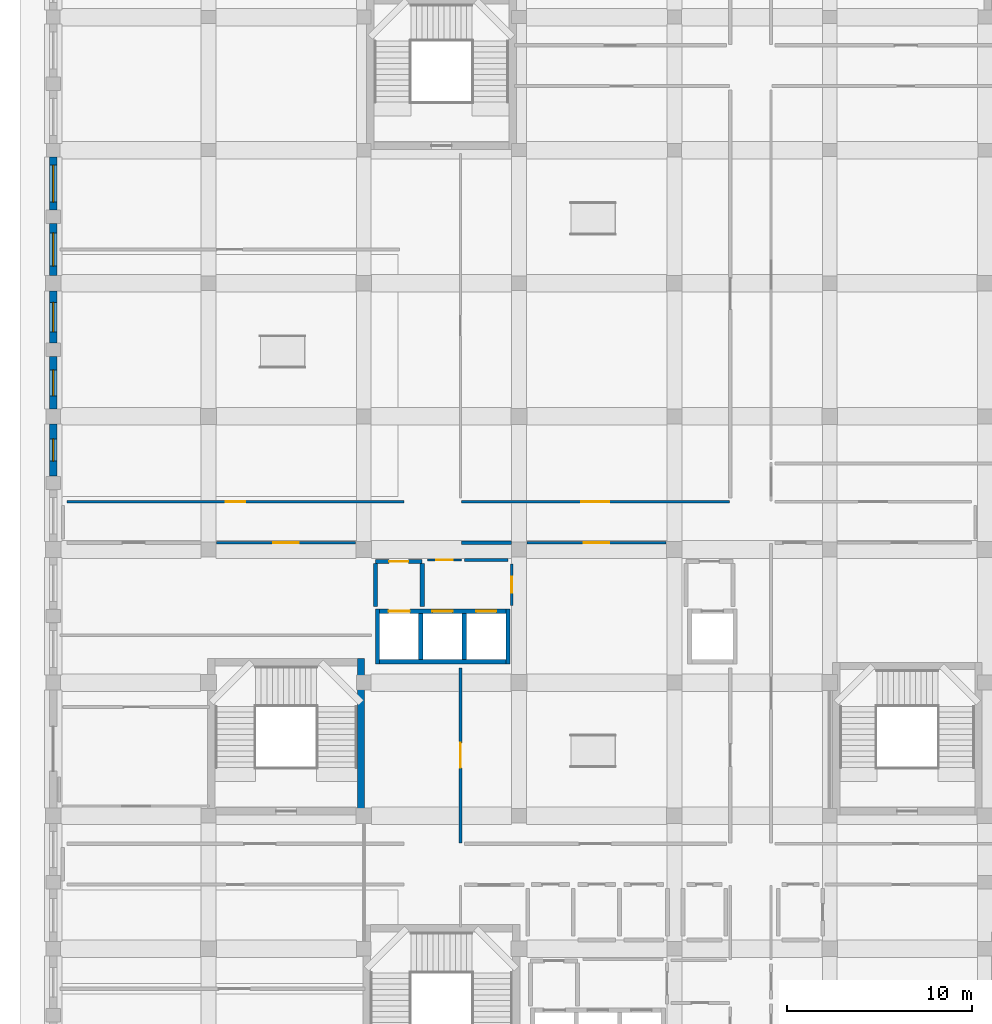
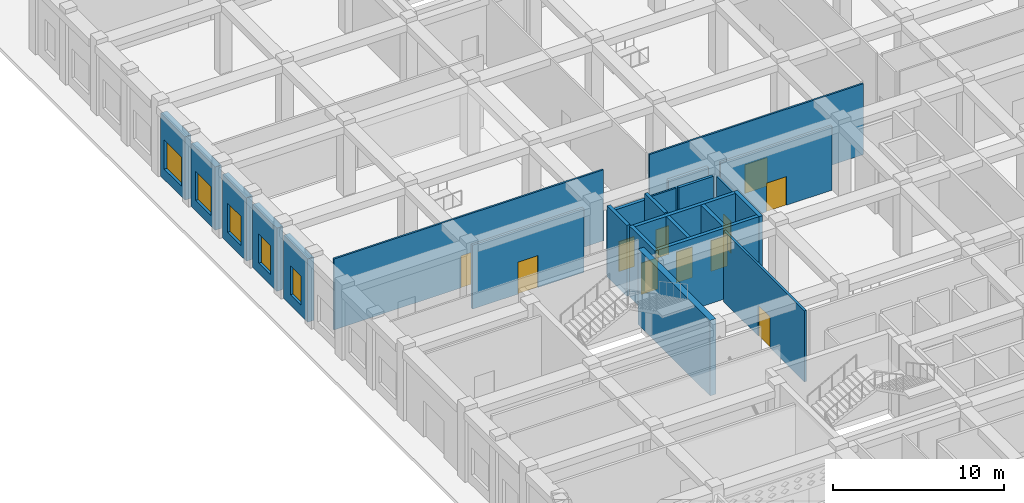
# One storey, part 64 of 84: 24 walls, 11 doors, 5 windows, 16 openings.
"""IFC4 building model written with IfcOpenShell, lengths in metres."""

from ifc_helpers import new_model, si_unit, derived_unit, direction, frame, frame_2d, origin, place, context, subcontext, project, spatial, rectangle, extrude, material, layer, layer_set, type_object, element, fill, save


model = new_model("IFC4")

# Units and contexts
model_context = context("Model", 3, precision=1e-05, world=origin(), true_north=direction((0.0, 1.0)))
body_context = subcontext(model_context, "Body", "Model", "MODEL_VIEW")
ifc_project = project(units=[si_unit("LENGTHUNIT", "METRE"), si_unit("AREAUNIT", "SQUARE_METRE"), si_unit("VOLUMEUNIT", "CUBIC_METRE"), si_unit("PLANEANGLEUNIT", "RADIAN"), si_unit("MASSUNIT", "GRAM", prefix="KILO"), derived_unit("THERMALTRANSMITTANCEUNIT", [(si_unit("POWERUNIT", "WATT"), 1), (si_unit("LENGTHUNIT", "METRE"), -2), (si_unit("THERMODYNAMICTEMPERATUREUNIT", "KELVIN"), -1)])], contexts=[model_context])

# Site, building, storey
site_placement = place(None, origin())
site = spatial("IfcSite", under=ifc_project, at=site_placement, CompositionType="ELEMENT")
building_placement = place(site_placement, origin())
building = spatial("IfcBuilding", under=site, at=building_placement, Name="Veybourne Emporium", CompositionType="ELEMENT")
storey_placement = place(building_placement, origin())
storey = spatial("IfcBuildingStorey", under=building, at=storey_placement, Name="L00", CompositionType="ELEMENT", Elevation=0.0)

# Wall, opening, window
ifc_material_1 = material(Name="Honed Black Granite Plinth", Category="masonry")
ifc_layer_1 = layer(ifc_material_1, 0.419921875)
ifc_layer_set_1 = layer_set([ifc_layer_1], Name="Honed Black Granite Plinth")
wall_type_1 = type_object("IfcWallType", Name="ExtWall_EW-02", PredefinedType="SOLIDWALL", material=ifc_layer_set_1)
wall_1_placement = place(storey_placement, frame((0.0, 47.169921875, 0.0), z_axis=(0.0, 0.0, 1.0), x_axis=(0.0, 1.0, 0.0)))
wall_1 = element("IfcWall", 1, at=wall_1_placement, inside=storey, type_object=wall_type_1, Name="L00 Portland stone external wall 006B", PredefinedType="SOLIDWALL", context=body_context, shape_type="SweptSolid", body=[
    extrude(rectangle(XDim=2.830078125, YDim=0.419921875, at=frame_2d((1.4150390625, 0.0))), origin(), (0.0, 0.0, 1.0), 4.530029296875),
])
opening_1_placement = place(wall_1_placement, frame((0.81494140625, 0.0, 0.75)))
opening_1 = element("IfcOpeningElement", 2, at=opening_1_placement, cuts=wall_1, Name="Opening W-09", PredefinedType="OPENING", context=body_context, shape_type="SweptSolid", body=[
    extrude(rectangle(XDim=1.199951171875, YDim=2.080078125, at=frame_2d((0.60009765625, 1.0400390625))), frame((0.0, 0.22998046875, 0.0), z_axis=(0.0, -1.0, 0.0), x_axis=(1.0, 0.0, 0.0)), (0.0, 0.0, 1.0), 0.4599609375),
])
ifc_material_2 = material(Name="Low-E Triple Glazing", Category="glass")
window_type_1 = type_object("IfcWindowType", Name="Win_W-09", PartitioningType="SINGLE_PANEL", PredefinedType="WINDOW", material=ifc_material_2)
window_1_placement = place(opening_1_placement, origin())
window_1 = element("IfcWindow", 3, at=window_1_placement, inside=storey, type_object=window_type_1, Name="L00 tripartite bronze casement window W-09 (6B)", OverallHeight=2.080078125, OverallWidth=1.199951171875, PartitioningType="SINGLE_PANEL", PredefinedType="WINDOW", context=body_context, shape_type="SweptSolid", body=[
    extrude(rectangle(XDim=1.199951171875, YDim=2.080078125, at=frame_2d((0.60009765625, 1.0400390625))), frame((0.0, 0.030029296875, 0.0), z_axis=(0.0, -1.0, 0.0), x_axis=(1.0, 0.0, 0.0)), (0.0, 0.0, 1.0), 0.06005859375),
])
fill(opening_1, window_1)

wall_2_placement = place(storey_placement, frame((0.0, 50.800048828125, 0.0), z_axis=(0.0, 0.0, 1.0), x_axis=(0.0, 1.0, 0.0)))
wall_2 = element("IfcWall", 4, at=wall_2_placement, inside=storey, type_object=wall_type_1, Name="L00 Portland stone external wall 007A", PredefinedType="SOLIDWALL", context=body_context, shape_type="SweptSolid", body=[
    extrude(rectangle(XDim=2.829833984375, YDim=0.419921875, at=frame_2d((1.4150390625, 0.0))), origin(), (0.0, 0.0, 1.0), 4.530029296875),
])
opening_2_placement = place(wall_2_placement, frame((0.715087890625, 0.0, 0.75)))
opening_2 = element("IfcOpeningElement", 5, at=opening_2_placement, cuts=wall_2, Name="Opening W-10", PredefinedType="OPENING", context=body_context, shape_type="SweptSolid", body=[
    extrude(rectangle(XDim=1.39990234375, YDim=2.080078125, at=frame_2d((0.699951171875, 1.0400390625))), frame((0.0, 0.22998046875, 0.0), z_axis=(0.0, -1.0, 0.0), x_axis=(1.0, 0.0, 0.0)), (0.0, 0.0, 1.0), 0.4599609375),
])
window_type_2 = type_object("IfcWindowType", Name="Win_W-10", PartitioningType="DOUBLE_PANEL_VERTICAL", PredefinedType="WINDOW", material=ifc_material_2)
window_2_placement = place(opening_2_placement, origin())
window_2 = element("IfcWindow", 6, at=window_2_placement, inside=storey, type_object=window_type_2, Name="L00 tripartite bronze casement window W-10 (7A)", OverallHeight=2.080078125, OverallWidth=1.39990234375, PartitioningType="DOUBLE_PANEL_VERTICAL", PredefinedType="WINDOW", context=body_context, shape_type="SweptSolid", body=[
    extrude(rectangle(XDim=1.39990234375, YDim=2.080078125, at=frame_2d((0.699951171875, 1.0400390625))), frame((0.0, 0.030029296875, 0.0), z_axis=(0.0, -1.0, 0.0), x_axis=(1.0, 0.0, 0.0)), (0.0, 0.0, 1.0), 0.06005859375),
])
fill(opening_2, window_2)

wall_3_placement = place(storey_placement, frame((0.0, 54.3701171875, 0.0), z_axis=(0.0, 0.0, 1.0), x_axis=(0.0, 1.0, 0.0)))
wall_3 = element("IfcWall", 7, at=wall_3_placement, inside=storey, type_object=wall_type_1, Name="L00 Portland stone external wall 007B", PredefinedType="SOLIDWALL", context=body_context, shape_type="SweptSolid", body=[
    extrude(rectangle(XDim=2.804931640625, YDim=0.419921875, at=frame_2d((1.40234375, 0.0))), origin(), (0.0, 0.0, 1.0), 4.530029296875),
])
opening_3_placement = place(wall_3_placement, frame((0.6025390625, 0.0, 0.75)))
opening_3 = element("IfcOpeningElement", 8, at=opening_3_placement, cuts=wall_3, Name="Opening W-11", PredefinedType="OPENING", context=body_context, shape_type="SweptSolid", body=[
    extrude(rectangle(XDim=1.60009765625, YDim=2.080078125, at=frame_2d((0.800048828125, 1.0400390625))), frame((0.0, 0.22998046875, 0.0), z_axis=(0.0, -1.0, 0.0), x_axis=(1.0, 0.0, 0.0)), (0.0, 0.0, 1.0), 0.4599609375),
])
window_type_3 = type_object("IfcWindowType", Name="Win_W-11", PartitioningType="DOUBLE_PANEL_VERTICAL", PredefinedType="WINDOW", material=ifc_material_2)
window_3_placement = place(opening_3_placement, origin())
window_3 = element("IfcWindow", 9, at=window_3_placement, inside=storey, type_object=window_type_3, Name="L00 tripartite bronze casement window W-11 (7B)", OverallHeight=2.080078125, OverallWidth=1.60009765625, PartitioningType="DOUBLE_PANEL_VERTICAL", PredefinedType="WINDOW", context=body_context, shape_type="SweptSolid", body=[
    extrude(rectangle(XDim=1.60009765625, YDim=2.080078125, at=frame_2d((0.800048828125, 1.0400390625))), frame((0.0, 0.030029296875, 0.0), z_axis=(0.0, -1.0, 0.0), x_axis=(1.0, 0.0, 0.0)), (0.0, 0.0, 1.0), 0.06005859375),
])
fill(opening_3, window_3)

wall_4_placement = place(storey_placement, frame((0.0, 58.02490234375, 0.0), z_axis=(0.0, 0.0, 1.0), x_axis=(0.0, 1.0, 0.0)))
wall_4 = element("IfcWall", 10, at=wall_4_placement, inside=storey, type_object=wall_type_1, Name="L00 Portland stone external wall 008A", PredefinedType="SOLIDWALL", context=body_context, shape_type="SweptSolid", body=[
    extrude(rectangle(XDim=2.80517578125, YDim=0.419921875, at=frame_2d((1.402587890625, 0.0))), origin(), (0.0, 0.0, 1.0), 4.530029296875),
])
opening_4_placement = place(wall_4_placement, frame((0.50244140625, 0.0, 0.75)))
opening_4 = element("IfcOpeningElement", 11, at=opening_4_placement, cuts=wall_4, Name="Opening W-12", PredefinedType="OPENING", context=body_context, shape_type="SweptSolid", body=[
    extrude(rectangle(XDim=1.800048828125, YDim=2.080078125, at=frame_2d((0.89990234375, 1.0400390625))), frame((0.0, 0.22998046875, 0.0), z_axis=(0.0, -1.0, 0.0), x_axis=(1.0, 0.0, 0.0)), (0.0, 0.0, 1.0), 0.4599609375),
])
window_type_4 = type_object("IfcWindowType", Name="Win_W-12", PartitioningType="DOUBLE_PANEL_VERTICAL", PredefinedType="WINDOW", material=ifc_material_2)
window_4_placement = place(opening_4_placement, origin())
window_4 = element("IfcWindow", 12, at=window_4_placement, inside=storey, type_object=window_type_4, Name="L00 tripartite bronze casement window W-12 (8A)", OverallHeight=2.080078125, OverallWidth=1.800048828125, PartitioningType="DOUBLE_PANEL_VERTICAL", PredefinedType="WINDOW", context=body_context, shape_type="SweptSolid", body=[
    extrude(rectangle(XDim=1.800048828125, YDim=2.080078125, at=frame_2d((0.89990234375, 1.0400390625))), frame((0.0, 0.030029296875, 0.0), z_axis=(0.0, -1.0, 0.0), x_axis=(1.0, 0.0, 0.0)), (0.0, 0.0, 1.0), 0.06005859375),
])
fill(opening_4, window_4)

wall_5_placement = place(storey_placement, frame((0.0, 61.570068359375, 0.0), z_axis=(0.0, 0.0, 1.0), x_axis=(0.0, 1.0, 0.0)))
wall_5 = element("IfcWall", 13, at=wall_5_placement, inside=storey, type_object=wall_type_1, Name="L00 Portland stone external wall 008B", PredefinedType="SOLIDWALL", context=body_context, shape_type="SweptSolid", body=[
    extrude(rectangle(XDim=2.85498046875, YDim=0.419921875, at=frame_2d((1.427490234375, 0.0))), origin(), (0.0, 0.0, 1.0), 4.530029296875),
])
opening_5_placement = place(wall_5_placement, frame((0.427490234375, 0.0, 0.75)))
opening_5 = element("IfcOpeningElement", 14, at=opening_5_placement, cuts=wall_5, Name="Opening W-13", PredefinedType="OPENING", context=body_context, shape_type="SweptSolid", body=[
    extrude(rectangle(XDim=2.0, YDim=2.080078125, at=frame_2d((1.0, 1.0400390625))), frame((0.0, 0.22998046875, 0.0), z_axis=(0.0, -1.0, 0.0), x_axis=(1.0, 0.0, 0.0)), (0.0, 0.0, 1.0), 0.4599609375),
])
window_type_5 = type_object("IfcWindowType", Name="Win_W-13", PartitioningType="TRIPLE_PANEL_VERTICAL", PredefinedType="WINDOW", material=ifc_material_2)
window_5_placement = place(opening_5_placement, origin())
window_5 = element("IfcWindow", 15, at=window_5_placement, inside=storey, type_object=window_type_5, Name="L00 tripartite bronze casement window W-13 (8B)", OverallHeight=2.080078125, OverallWidth=2.0, PartitioningType="TRIPLE_PANEL_VERTICAL", PredefinedType="WINDOW", context=body_context, shape_type="SweptSolid", body=[
    extrude(rectangle(XDim=2.0, YDim=2.080078125, at=frame_2d((1.0, 1.0400390625))), frame((0.0, 0.030029296875, 0.0), z_axis=(0.0, -1.0, 0.0), x_axis=(1.0, 0.0, 0.0)), (0.0, 0.0, 1.0), 0.06005859375),
])
fill(opening_5, window_5)

# Wall
ifc_material_3 = material(Name="Concrete C40/50", Category="concrete")
ifc_layer_2 = layer(ifc_material_3, 0.39990234375)
ifc_layer_set_2 = layer_set([ifc_layer_2], Name="Concrete C40/50")
wall_type_2 = type_object("IfcWallType", Name="IntWall_CW-01", PredefinedType="SHEAR", material=ifc_layer_set_2)
wall_6_placement = place(storey_placement, frame((16.64990234375, 28.85009765625, 0.0), z_axis=(0.0, 0.0, 1.0), x_axis=(0.0, 1.0, 0.0)))
element("IfcWall", 16, at=wall_6_placement, inside=storey, type_object=wall_type_2, Name="Core stair ST-02 east shear wall (L00)", PredefinedType="SHEAR", context=body_context, shape_type="SweptSolid", body=[
    extrude(rectangle(XDim=8.449951171875, YDim=0.39990234375, at=frame_2d((4.22509765625, 0.0))), origin(), (0.0, 0.0, 1.0), 5.39990234375),
])

# Wall, openings, doors
ifc_layer_3 = layer(ifc_material_3, 0.239990234375)
ifc_layer_set_3 = layer_set([ifc_layer_3], Name="Concrete C40/50")
wall_type_3 = type_object("IfcWallType", Name="IntWall_CW-04", PredefinedType="SHEAR", material=ifc_layer_set_3)
wall_7_placement = place(storey_placement, frame((24.47998046875, 39.8701171875, 0.0), z_axis=(0.0, 0.0, 1.0), x_axis=(-1.0, 0.0, 0.0)))
wall_7 = element("IfcWall", 17, at=wall_7_placement, inside=storey, type_object=wall_type_3, Name="Lift core C2 north shaft wall (L00)", PredefinedType="SHEAR", context=body_context, shape_type="SweptSolid", body=[
    extrude(rectangle(XDim=6.820068359375, YDim=0.239990234375, at=frame_2d((3.41015625, 0.0))), origin(), (0.0, 0.0, 1.0), 5.080078125),
])
opening_6_placement = place(wall_7_placement, frame((5.195068359375, 0.0, 0.0)))
opening_6 = element("IfcOpeningElement", 18, at=opening_6_placement, cuts=wall_7, Name="Opening LD-02", PredefinedType="OPENING", context=body_context, shape_type="SweptSolid", body=[
    extrude(rectangle(XDim=1.14990234375, YDim=2.25, at=frame_2d((0.574951171875, 1.125))), frame((0.0, 0.14013671875, 0.0), z_axis=(0.0, -1.0, 0.0), x_axis=(1.0, 0.0, 0.0)), (0.0, 0.0, 1.0), 0.280029296875),
])
opening_7_placement = place(wall_7_placement, frame((2.8701171875, 0.0, 0.0)))
opening_7 = element("IfcOpeningElement", 19, at=opening_7_placement, cuts=wall_7, Name="Opening LD-01", PredefinedType="OPENING", context=body_context, shape_type="SweptSolid", body=[
    extrude(rectangle(XDim=1.10009765625, YDim=2.199951171875, at=frame_2d((0.550048828125, 1.10009765625))), frame((0.0, 0.14013671875, 0.0), z_axis=(0.0, -1.0, 0.0), x_axis=(1.0, 0.0, 0.0)), (0.0, 0.0, 1.0), 0.280029296875),
])
opening_8_placement = place(wall_7_placement, frame((0.510009765625, 0.0, 0.0)))
opening_8 = element("IfcOpeningElement", 20, at=opening_8_placement, cuts=wall_7, Name="Opening LD-01", PredefinedType="OPENING", context=body_context, shape_type="SweptSolid", body=[
    extrude(rectangle(XDim=1.10009765625, YDim=2.199951171875, at=frame_2d((0.550048828125, 1.10009765625))), frame((0.0, 0.14013671875, 0.0), z_axis=(0.0, -1.0, 0.0), x_axis=(1.0, 0.0, 0.0)), (0.0, 0.0, 1.0), 0.280029296875),
])
ifc_material_4 = material(Name="Patinated Architectural Bronze", Category="bronze")
door_type_1 = type_object("IfcDoorType", Name="FireDoor_LD-01", OperationType="DOUBLE_DOOR_SLIDING", PredefinedType="DOOR", material=ifc_material_4)
door_1_placement = place(opening_7_placement, origin())
door_1 = element("IfcDoor", 21, at=door_1_placement, inside=storey, type_object=door_type_1, Name="Lift PL-03 sliding landing door (L00)", OperationType="DOUBLE_DOOR_SLIDING", OverallHeight=2.199951171875, OverallWidth=1.10009765625, PredefinedType="DOOR", context=body_context, shape_type="SweptSolid", body=[
    extrude(rectangle(XDim=1.10009765625, YDim=2.199951171875, at=frame_2d((0.550048828125, 1.10009765625))), frame((0.0, 0.02490234375, 0.0), z_axis=(0.0, -1.0, 0.0), x_axis=(1.0, 0.0, 0.0)), (0.0, 0.0, 1.0), 0.050048828125),
])
fill(opening_7, door_1)
door_2_placement = place(opening_8_placement, origin())
door_2 = element("IfcDoor", 22, at=door_2_placement, inside=storey, type_object=door_type_1, Name="Lift PL-04 sliding landing door (L00)", OperationType="DOUBLE_DOOR_SLIDING", OverallHeight=2.199951171875, OverallWidth=1.10009765625, PredefinedType="DOOR", context=body_context, shape_type="SweptSolid", body=[
    extrude(rectangle(XDim=1.10009765625, YDim=2.199951171875, at=frame_2d((0.550048828125, 1.10009765625))), frame((0.0, 0.02490234375, 0.0), z_axis=(0.0, -1.0, 0.0), x_axis=(1.0, 0.0, 0.0)), (0.0, 0.0, 1.0), 0.050048828125),
])
fill(opening_8, door_2)
door_type_2 = type_object("IfcDoorType", Name="FireDoor_LD-02", OperationType="SLIDING_TO_LEFT", PredefinedType="DOOR", material=ifc_material_4)
door_3_placement = place(opening_6_placement, origin())
door_3 = element("IfcDoor", 23, at=door_3_placement, inside=storey, type_object=door_type_2, Name="Lift FFL-02 sliding landing door (L00)", OperationType="SLIDING_TO_LEFT", OverallHeight=2.25, OverallWidth=1.14990234375, PredefinedType="DOOR", context=body_context, shape_type="SweptSolid", body=[
    extrude(rectangle(XDim=1.14990234375, YDim=2.25, at=frame_2d((0.574951171875, 1.125))), frame((0.0, 0.02490234375, 0.0), z_axis=(0.0, -1.0, 0.0), x_axis=(1.0, 0.0, 0.0)), (0.0, 0.0, 1.0), 0.050048828125),
])
fill(opening_6, door_3)

# Walls
wall_8_placement = place(storey_placement, frame((17.659912109375, 37.1298828125, 0.0), z_axis=(0.0, 0.0, 1.0), x_axis=(1.0, 0.0, 0.0)))
element("IfcWall", 24, at=wall_8_placement, inside=storey, type_object=wall_type_3, Name="Lift core C2 south shaft wall (L00)", PredefinedType="SHEAR", context=body_context, shape_type="SweptSolid", body=[
    extrude(rectangle(XDim=6.820068359375, YDim=0.239990234375, at=frame_2d((3.41015625, 0.0))), origin(), (0.0, 0.0, 1.0), 5.080078125),
])
for number, where, z_axis, x_axis, name in (
    (25, (17.5400390625, 39.989990234375, 0.0), (0.0, 0.0, 1.0), (0.0, -1.0, 0.0), "Lift core C2 west shaft wall (L00)"),
    (26, (24.60009765625, 37.010009765625, 0.0), (0.0, 0.0, 1.0), (0.0, 1.0, 0.0), "Lift core C2 east shaft wall (L00)"),
):
    element("IfcWall", number, at=place(storey_placement, frame(where, z_axis=z_axis, x_axis=x_axis)), inside=storey, type_object=wall_type_3, Name=name, PredefinedType="SHEAR", context=body_context, shape_type="SweptSolid", body=[
        extrude(rectangle(XDim=2.97998046875, YDim=0.239990234375, at=frame_2d((1.489990234375, 0.0))), origin(), (0.0, 0.0, 1.0), 5.080078125),
    ])
for number, where, z_axis, x_axis, name in (
    (27, (19.8798828125, 37.25, 0.0), (0.0, 0.0, 1.0), (0.0, 1.0, 0.0), "Lift core C2 divider wall 1 (L00)"),
    (28, (22.239990234375, 37.25, 0.0), (0.0, 0.0, 1.0), (0.0, 1.0, 0.0), "Lift core C2 divider wall 2 (L00)"),
):
    element("IfcWall", number, at=place(storey_placement, frame(where, z_axis=z_axis, x_axis=x_axis)), inside=storey, type_object=wall_type_3, Name=name, PredefinedType="SHEAR", context=body_context, shape_type="SweptSolid", body=[
        extrude(rectangle(XDim=2.5, YDim=0.239990234375, at=frame_2d((1.25, 0.0))), origin(), (0.0, 0.0, 1.0), 5.080078125),
    ])

# Wall, opening, door
ifc_material_5 = material(Name="Concrete C32/40", Category="concrete")
ifc_layer_4 = layer(ifc_material_5, 0.219970703125)
ifc_layer_set_4 = layer_set([ifc_layer_4], Name="Concrete C32/40")
wall_type_4 = type_object("IfcWallType", Name="IntWall_FW-02", PredefinedType="SOLIDWALL", material=ifc_layer_set_4)
wall_9_placement = place(storey_placement, frame((17.419921875, 42.550048828125, 0.0), z_axis=(0.0, 0.0, 1.0), x_axis=(1.0, 0.0, 0.0)))
wall_9 = element("IfcWall", 29, at=wall_9_placement, inside=storey, type_object=wall_type_4, Name="Firefighting lobby C2 fire wall N (L00)", PredefinedType="SOLIDWALL", context=body_context, shape_type="SweptSolid", body=[
    extrude(rectangle(XDim=2.5400390625, YDim=0.219970703125, at=frame_2d((1.27001953125, 0.0))), origin(), (0.0, 0.0, 1.0), 4.580078125),
])
opening_9_placement = place(wall_9_placement, frame((0.7451171875, 0.0, 0.0)))
opening_9 = element("IfcOpeningElement", 30, at=opening_9_placement, cuts=wall_9, Name="Opening FD-02", PredefinedType="OPENING", context=body_context, shape_type="SweptSolid", body=[
    extrude(rectangle(XDim=1.050048828125, YDim=2.14990234375, at=frame_2d((0.52490234375, 1.074951171875))), frame((0.0, 0.1298828125, 0.0), z_axis=(0.0, -1.0, 0.0), x_axis=(1.0, 0.0, 0.0)), (0.0, 0.0, 1.0), 0.260009765625),
])
door_type_3 = type_object("IfcDoorType", Name="FireDoor_FD-02", OperationType="NOTDEFINED", PredefinedType="DOOR", material=ifc_material_4)
door_4_placement = place(opening_9_placement, origin())
door_4 = element("IfcDoor", 31, at=door_4_placement, inside=storey, type_object=door_type_3, Name="Firefighting lobby C2 FD60S door N (L00)", OperationType="SINGLE_SWING_LEFT", OverallHeight=2.14990234375, OverallWidth=1.050048828125, PredefinedType="DOOR", context=body_context, shape_type="SweptSolid", body=[
    extrude(rectangle(XDim=1.050048828125, YDim=2.14990234375, at=frame_2d((0.52490234375, 1.074951171875))), frame((0.0, 0.02490234375, 0.0), z_axis=(0.0, -1.0, 0.0), x_axis=(1.0, 0.0, 0.0)), (0.0, 0.0, 1.0), 0.050048828125),
])
fill(opening_9, door_4)

# Walls
for number, where, z_axis, x_axis, name in (
    (32, (17.419921875, 40.110107421875, 0.0), (0.0, 0.0, 1.0), (0.0, 1.0, 0.0), "Firefighting lobby C2 fire wall W (L00)"),
    (33, (19.9599609375, 40.110107421875, 0.0), (0.0, 0.0, 1.0), (0.0, 1.0, 0.0), "Firefighting lobby C2 fire wall E (L00)"),
):
    element("IfcWall", number, at=place(storey_placement, frame(where, z_axis=z_axis, x_axis=x_axis)), inside=storey, type_object=wall_type_4, Name=name, PredefinedType="SOLIDWALL", context=body_context, shape_type="SweptSolid", body=[
        extrude(rectangle(XDim=2.31982421875, YDim=0.219970703125, at=frame_2d((1.159912109375, 0.0))), origin(), (0.0, 0.0, 1.0), 5.080078125),
    ])
ifc_material_6 = material(Name="Gypsum Acoustic Board", Category="gypsum")
ifc_layer_5 = layer(ifc_material_6, 0.179931640625)
ifc_layer_set_5 = layer_set([ifc_layer_5], Name="Gypsum Acoustic Board")
wall_type_5 = type_object("IfcWallType", Name="IntWall_IW-01", PredefinedType="PARTITIONING", material=ifc_layer_set_5)
wall_10_placement = place(storey_placement, frame((22.080078125, 43.570068359375, 0.0), z_axis=(0.0, 0.0, 1.0), x_axis=(1.0, 0.0, 0.0)))
element("IfcWall", 34, at=wall_10_placement, inside=storey, type_object=wall_type_5, Name="L00 interior partition IW-01 #035", PredefinedType="PARTITIONING", context=body_context, shape_type="SweptSolid", body=[
    extrude(rectangle(XDim=2.699951171875, YDim=0.179931640625, at=frame_2d((1.35009765625, 0.0))), origin(), (0.0, 0.0, 1.0), 4.580078125),
])
wall_11_placement = place(storey_placement, frame((22.239990234375, 42.6298828125, 0.0), z_axis=(0.0, 0.0, 1.0), x_axis=(1.0, 0.0, 0.0)))
element("IfcWall", 35, at=wall_11_placement, inside=storey, type_object=wall_type_5, Name="L00 interior partition IW-01 #155", PredefinedType="PARTITIONING", context=body_context, shape_type="SweptSolid", body=[
    extrude(rectangle(XDim=2.35009765625, YDim=0.179931640625, at=frame_2d((1.175048828125, 0.0))), origin(), (0.0, 0.0, 1.0), 4.580078125),
])

# Wall, opening, door
ifc_layer_6 = layer(ifc_material_6, 0.14990234375)
ifc_layer_set_6 = layer_set([ifc_layer_6], Name="Gypsum Acoustic Board")
wall_type_6 = type_object("IfcWallType", Name="IntWall_IW-02", PredefinedType="PARTITIONING", material=ifc_layer_set_6)
wall_12_placement = place(storey_placement, frame((8.820068359375, 43.570068359375, 0.0), z_axis=(0.0, 0.0, 1.0), x_axis=(1.0, 0.0, 0.0)))
wall_12 = element("IfcWall", 36, at=wall_12_placement, inside=storey, type_object=wall_type_6, Name="L00 interior partition IW-02 #018", PredefinedType="PARTITIONING", context=body_context, shape_type="SweptSolid", body=[
    extrude(rectangle(XDim=7.534912109375, YDim=0.14990234375, at=frame_2d((3.767578125, 0.0))), origin(), (0.0, 0.0, 1.0), 4.580078125),
])
opening_10_placement = place(wall_12_placement, frame((3.08740234375, 0.0, 0.0)))
opening_10 = element("IfcOpeningElement", 37, at=opening_10_placement, cuts=wall_12, Name="Opening D-22", PredefinedType="OPENING", context=body_context, shape_type="SweptSolid", body=[
    extrude(rectangle(XDim=1.360107421875, YDim=2.2900390625, at=frame_2d((0.68017578125, 1.14501953125))), frame((0.0, 0.094970703125, 0.0), z_axis=(0.0, -1.0, 0.0), x_axis=(1.0, 0.0, 0.0)), (0.0, 0.0, 1.0), 0.18994140625),
])
ifc_material_7 = material(Name="European Oak Veneer and Bronze", Category="wood")
door_type_4 = type_object("IfcDoorType", Name="IntDoor_D-22", OperationType="NOTDEFINED", PredefinedType="DOOR", material=ifc_material_7)
door_5_placement = place(opening_10_placement, frame((1.360107421875, 0.0, 0.0), z_axis=(0.0, 0.0, 1.0), x_axis=(-1.0, 0.0, 0.0)))
door_5 = element("IfcDoor", 38, at=door_5_placement, inside=storey, type_object=door_type_4, Name="L00 interior door D-22 (PART-L00-018)", OperationType="SINGLE_SWING_LEFT", OverallHeight=2.2900390625, OverallWidth=1.360107421875, PredefinedType="DOOR", context=body_context, shape_type="SweptSolid", body=[
    extrude(rectangle(XDim=1.360107421875, YDim=2.2900390625, at=frame_2d((0.68017578125, 1.14501953125))), frame((0.0, 0.02490234375, 0.0), z_axis=(0.0, -1.0, 0.0), x_axis=(1.0, 0.0, 0.0)), (0.0, 0.0, 1.0), 0.050048828125),
])
fill(opening_10, door_5)

wall_13_placement = place(storey_placement, frame((25.6201171875, 43.570068359375, 0.0), z_axis=(0.0, 0.0, 1.0), x_axis=(1.0, 0.0, 0.0)))
wall_13 = element("IfcWall", 39, at=wall_13_placement, inside=storey, type_object=wall_type_6, Name="L00 interior partition IW-02 #036", PredefinedType="PARTITIONING", context=body_context, shape_type="SweptSolid", body=[
    extrude(rectangle(XDim=7.534912109375, YDim=0.14990234375, at=frame_2d((3.767578125, 0.0))), origin(), (0.0, 0.0, 1.0), 4.580078125),
])
opening_11_placement = place(wall_13_placement, frame((3.08740234375, 0.0, 0.0)))
opening_11 = element("IfcOpeningElement", 40, at=opening_11_placement, cuts=wall_13, Name="Opening D-04", PredefinedType="OPENING", context=body_context, shape_type="SweptSolid", body=[
    extrude(rectangle(XDim=1.360107421875, YDim=2.050048828125, at=frame_2d((0.68017578125, 1.02490234375))), frame((0.0, 0.094970703125, 0.0), z_axis=(0.0, -1.0, 0.0), x_axis=(1.0, 0.0, 0.0)), (0.0, 0.0, 1.0), 0.18994140625),
])
door_type_5 = type_object("IfcDoorType", Name="IntDoor_D-04", OperationType="NOTDEFINED", PredefinedType="DOOR", material=ifc_material_7)
door_6_placement = place(opening_11_placement, frame((1.360107421875, 0.0, 0.0), z_axis=(0.0, 0.0, 1.0), x_axis=(-1.0, 0.0, 0.0)))
door_6 = element("IfcDoor", 41, at=door_6_placement, inside=storey, type_object=door_type_5, Name="L00 interior door D-04 (PART-L00-036)", OperationType="SINGLE_SWING_LEFT", OverallHeight=2.050048828125, OverallWidth=1.360107421875, PredefinedType="DOOR", context=body_context, shape_type="SweptSolid", body=[
    extrude(rectangle(XDim=1.360107421875, YDim=2.050048828125, at=frame_2d((0.68017578125, 1.02490234375))), frame((0.0, 0.02490234375, 0.0), z_axis=(0.0, -1.0, 0.0), x_axis=(1.0, 0.0, 0.0)), (0.0, 0.0, 1.0), 0.050048828125),
])
fill(opening_11, door_6)

wall_14_placement = place(storey_placement, frame((22.030029296875, 27.330078125, 0.0), z_axis=(0.0, 0.0, 1.0), x_axis=(0.0, 1.0, 0.0)))
wall_14 = element("IfcWall", 42, at=wall_14_placement, inside=storey, type_object=wall_type_6, Name="L00 interior partition IW-02 #084", PredefinedType="PARTITIONING", context=body_context, shape_type="SweptSolid", body=[
    extrude(rectangle(XDim=9.469970703125, YDim=0.14990234375, at=frame_2d((4.73486328125, 0.0))), origin(), (0.0, 0.0, 1.0), 5.080078125),
])
opening_12_placement = place(wall_14_placement, frame((4.054931640625, 0.0, 0.0)))
opening_12 = element("IfcOpeningElement", 43, at=opening_12_placement, cuts=wall_14, Name="Opening D-16", PredefinedType="OPENING", context=body_context, shape_type="SweptSolid", body=[
    extrude(rectangle(XDim=1.360107421875, YDim=2.2099609375, at=frame_2d((0.68017578125, 1.10498046875))), frame((0.0, 0.094970703125, 0.0), z_axis=(0.0, -1.0, 0.0), x_axis=(1.0, 0.0, 0.0)), (0.0, 0.0, 1.0), 0.18994140625),
])
door_type_6 = type_object("IfcDoorType", Name="IntDoor_D-16", OperationType="NOTDEFINED", PredefinedType="DOOR", material=ifc_material_7)
door_7_placement = place(opening_12_placement, frame((1.360107421875, 0.0, 0.0), z_axis=(0.0, 0.0, 1.0), x_axis=(-1.0, 0.0, 0.0)))
door_7 = element("IfcDoor", 44, at=door_7_placement, inside=storey, type_object=door_type_6, Name="L00 interior door D-16 (PART-L00-084)", OperationType="SINGLE_SWING_RIGHT", OverallHeight=2.2099609375, OverallWidth=1.360107421875, PredefinedType="DOOR", context=body_context, shape_type="SweptSolid", body=[
    extrude(rectangle(XDim=1.360107421875, YDim=2.2099609375, at=frame_2d((0.68017578125, 1.10498046875))), frame((0.0, 0.02490234375, 0.0), z_axis=(0.0, -1.0, 0.0), x_axis=(1.0, 0.0, 0.0)), (0.0, 0.0, 1.0), 0.050048828125),
])
fill(opening_12, door_7)

wall_15_placement = place(storey_placement, frame((24.800048828125, 40.177978515625, 0.0), z_axis=(0.0, 0.0, 1.0), x_axis=(0.0, 1.0, 0.0)))
wall_15 = element("IfcWall", 45, at=wall_15_placement, inside=storey, type_object=wall_type_6, Name="L00 interior partition IW-02 #159", PredefinedType="PARTITIONING", context=body_context, shape_type="SweptSolid", body=[
    extrude(rectangle(XDim=2.241943359375, YDim=0.14990234375, at=frame_2d((1.12109375, 0.0))), origin(), (0.0, 0.0, 1.0), 4.580078125),
])
opening_13_placement = place(wall_15_placement, frame((0.680908203125, 0.0, 0.0)))
opening_13 = element("IfcOpeningElement", 46, at=opening_13_placement, cuts=wall_15, Name="Opening D-19", PredefinedType="OPENING", context=body_context, shape_type="SweptSolid", body=[
    extrude(rectangle(XDim=0.8798828125, YDim=2.2900390625, at=frame_2d((0.43994140625, 1.14501953125))), frame((0.0, 0.094970703125, 0.0), z_axis=(0.0, -1.0, 0.0), x_axis=(1.0, 0.0, 0.0)), (0.0, 0.0, 1.0), 0.18994140625),
])
door_type_7 = type_object("IfcDoorType", Name="IntDoor_D-19", OperationType="NOTDEFINED", PredefinedType="DOOR", material=ifc_material_7)
door_8_placement = place(opening_13_placement, origin())
door_8 = element("IfcDoor", 47, at=door_8_placement, inside=storey, type_object=door_type_7, Name="L00 interior door D-19 (PART-L00-159)", OperationType="SINGLE_SWING_RIGHT", OverallHeight=2.2900390625, OverallWidth=0.8798828125, PredefinedType="DOOR", context=body_context, shape_type="SweptSolid", body=[
    extrude(rectangle(XDim=0.8798828125, YDim=2.2900390625, at=frame_2d((0.43994140625, 1.14501953125))), frame((0.0, 0.02490234375, 0.0), z_axis=(0.0, -1.0, 0.0), x_axis=(1.0, 0.0, 0.0)), (0.0, 0.0, 1.0), 0.050048828125),
])
fill(opening_13, door_8)

ifc_layer_7 = layer(ifc_material_6, 0.1201171875)
ifc_layer_set_7 = layer_set([ifc_layer_7], Name="Gypsum Acoustic Board")
wall_type_7 = type_object("IfcWallType", Name="IntWall_IW-03", PredefinedType="PARTITIONING", material=ifc_layer_set_7)
wall_16_placement = place(storey_placement, frame((0.72998046875, 45.780029296875, 0.0), z_axis=(0.0, 0.0, 1.0), x_axis=(1.0, 0.0, 0.0)))
wall_16 = element("IfcWall", 48, at=wall_16_placement, inside=storey, type_object=wall_type_7, Name="L00 interior partition IW-03 #016", PredefinedType="PARTITIONING", context=body_context, shape_type="SweptSolid", body=[
    extrude(rectangle(XDim=18.2529296875, YDim=0.1201171875, at=frame_2d((9.12646484375, 0.0))), origin(), (0.0, 0.0, 1.0), 5.080078125),
])
opening_14_placement = place(wall_16_placement, frame((8.6064453125, 0.0, 0.0)))
opening_14 = element("IfcOpeningElement", 49, at=opening_14_placement, cuts=wall_16, Name="Opening D-20", PredefinedType="OPENING", context=body_context, shape_type="SweptSolid", body=[
    extrude(rectangle(XDim=1.0400390625, YDim=2.2900390625, at=frame_2d((0.52001953125, 1.14501953125))), frame((0.0, 0.080078125, 0.0), z_axis=(0.0, -1.0, 0.0), x_axis=(1.0, 0.0, 0.0)), (0.0, 0.0, 1.0), 0.16015625),
])
door_type_8 = type_object("IfcDoorType", Name="IntDoor_D-20", OperationType="NOTDEFINED", PredefinedType="DOOR", material=ifc_material_7)
door_9_placement = place(opening_14_placement, origin())
door_9 = element("IfcDoor", 50, at=door_9_placement, inside=storey, type_object=door_type_8, Name="L00 interior door D-20 (PART-L00-016)", OperationType="SINGLE_SWING_LEFT", OverallHeight=2.2900390625, OverallWidth=1.0400390625, PredefinedType="DOOR", context=body_context, shape_type="SweptSolid", body=[
    extrude(rectangle(XDim=1.0400390625, YDim=2.2900390625, at=frame_2d((0.52001953125, 1.14501953125))), frame((0.0, 0.02490234375, 0.0), z_axis=(0.0, -1.0, 0.0), x_axis=(1.0, 0.0, 0.0)), (0.0, 0.0, 1.0), 0.050048828125),
])
fill(opening_14, door_9)

wall_17_placement = place(storey_placement, frame((22.080078125, 45.780029296875, 0.0), z_axis=(0.0, 0.0, 1.0), x_axis=(1.0, 0.0, 0.0)))
wall_17 = element("IfcWall", 51, at=wall_17_placement, inside=storey, type_object=wall_type_7, Name="L00 interior partition IW-03 #037", PredefinedType="PARTITIONING", context=body_context, shape_type="SweptSolid", body=[
    extrude(rectangle(XDim=14.489990234375, YDim=0.1201171875, at=frame_2d((7.2451171875, 0.0))), origin(), (0.0, 0.0, 1.0), 5.080078125),
])
opening_15_placement = place(wall_17_placement, frame((6.485107421875, 0.0, 0.0)))
opening_15 = element("IfcOpeningElement", 52, at=opening_15_placement, cuts=wall_17, Name="Opening D-05", PredefinedType="OPENING", context=body_context, shape_type="SweptSolid", body=[
    extrude(rectangle(XDim=1.52001953125, YDim=2.050048828125, at=frame_2d((0.760009765625, 1.02490234375))), frame((0.0, 0.080078125, 0.0), z_axis=(0.0, -1.0, 0.0), x_axis=(1.0, 0.0, 0.0)), (0.0, 0.0, 1.0), 0.16015625),
])
door_type_9 = type_object("IfcDoorType", Name="IntDoor_D-05", OperationType="NOTDEFINED", PredefinedType="DOOR", material=ifc_material_7)
door_10_placement = place(opening_15_placement, origin())
door_10 = element("IfcDoor", 53, at=door_10_placement, inside=storey, type_object=door_type_9, Name="L00 interior door D-05 (PART-L00-037)", OperationType="SINGLE_SWING_RIGHT", OverallHeight=2.050048828125, OverallWidth=1.52001953125, PredefinedType="DOOR", context=body_context, shape_type="SweptSolid", body=[
    extrude(rectangle(XDim=1.52001953125, YDim=2.050048828125, at=frame_2d((0.760009765625, 1.02490234375))), frame((0.0, 0.02490234375, 0.0), z_axis=(0.0, -1.0, 0.0), x_axis=(1.0, 0.0, 0.0)), (0.0, 0.0, 1.0), 0.050048828125),
])
fill(opening_15, door_10)

wall_18_placement = place(storey_placement, frame((20.25, 42.6298828125, 0.0), z_axis=(0.0, 0.0, 1.0), x_axis=(1.0, 0.0, 0.0)))
wall_18 = element("IfcWall", 54, at=wall_18_placement, inside=storey, type_object=wall_type_7, Name="L00 interior partition IW-03 #181", PredefinedType="PARTITIONING", context=body_context, shape_type="SweptSolid", body=[
    extrude(rectangle(XDim=1.830078125, YDim=0.1201171875, at=frame_2d((0.9150390625, 0.0))), origin(), (0.0, 0.0, 1.0), 4.580078125),
])
opening_16_placement = place(wall_18_placement, frame((0.47509765625, 0.0, 0.0)))
opening_16 = element("IfcOpeningElement", 55, at=opening_16_placement, cuts=wall_18, Name="Opening D-01", PredefinedType="OPENING", context=body_context, shape_type="SweptSolid", body=[
    extrude(rectangle(XDim=0.8798828125, YDim=2.050048828125, at=frame_2d((0.43994140625, 1.02490234375))), frame((0.0, 0.080078125, 0.0), z_axis=(0.0, -1.0, 0.0), x_axis=(1.0, 0.0, 0.0)), (0.0, 0.0, 1.0), 0.16015625),
])
door_type_10 = type_object("IfcDoorType", Name="IntDoor_D-01", OperationType="NOTDEFINED", PredefinedType="DOOR", material=ifc_material_7)
door_11_placement = place(opening_16_placement, frame((0.8798828125, 0.0, 0.0), z_axis=(0.0, 0.0, 1.0), x_axis=(-1.0, 0.0, 0.0)))
door_11 = element("IfcDoor", 56, at=door_11_placement, inside=storey, type_object=door_type_10, Name="L00 interior door D-01 (PART-L00-181)", OperationType="SINGLE_SWING_RIGHT", OverallHeight=2.050048828125, OverallWidth=0.8798828125, PredefinedType="DOOR", context=body_context, shape_type="SweptSolid", body=[
    extrude(rectangle(XDim=0.8798828125, YDim=2.050048828125, at=frame_2d((0.43994140625, 1.02490234375))), frame((0.0, 0.02490234375, 0.0), z_axis=(0.0, -1.0, 0.0), x_axis=(1.0, 0.0, 0.0)), (0.0, 0.0, 1.0), 0.050048828125),
])
fill(opening_16, door_11)

save(model, "model.ifc")
